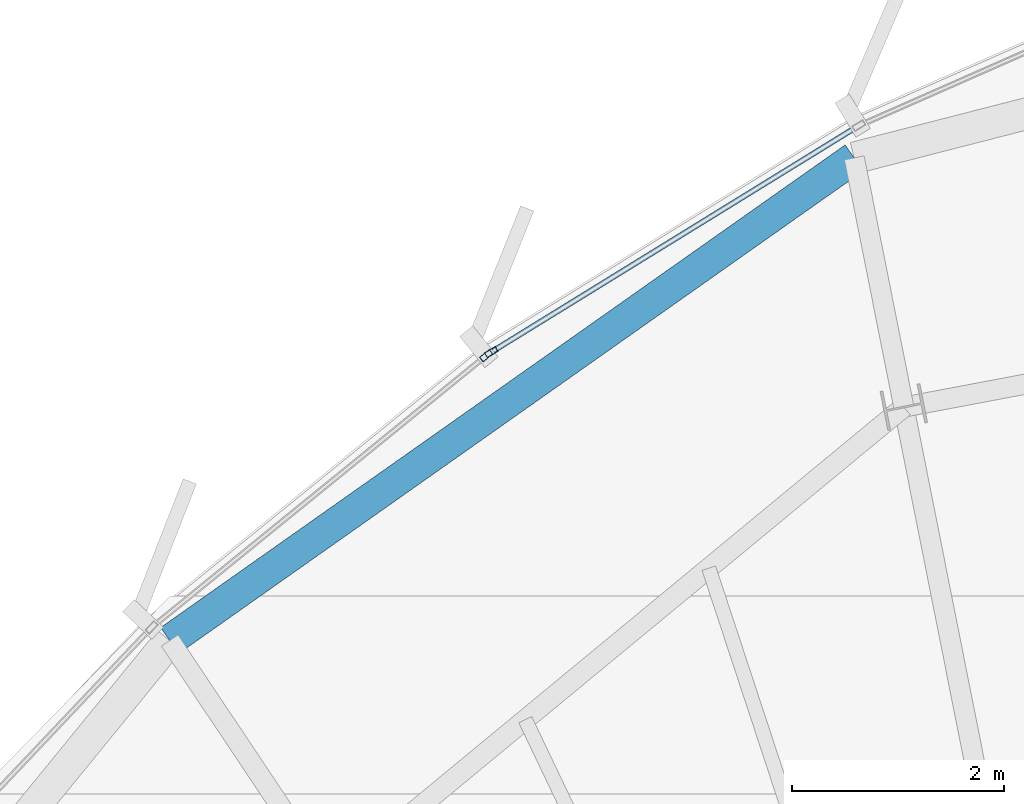
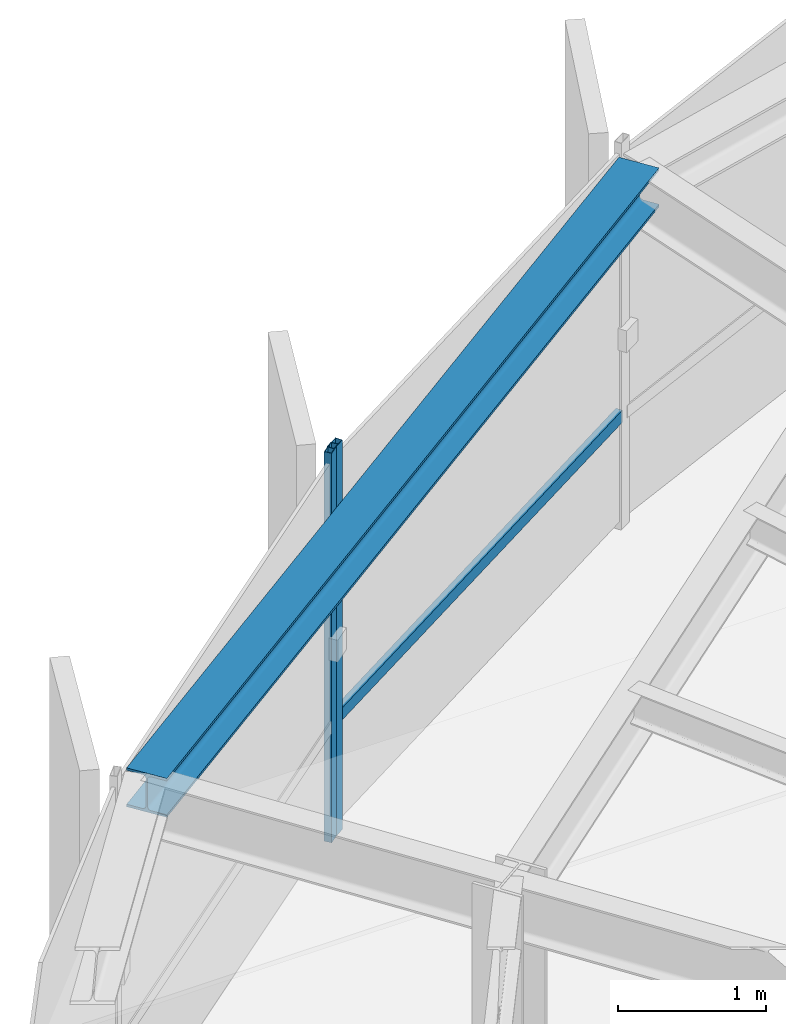
# One storey, part 18 of 31: 3 members, 1 beam, 2 elements without a shape of their own.
"""IFC4 building model written with IfcOpenShell, lengths in metres."""

from ifc_helpers import new_model, si_unit, direction, frame, origin, origin_2d, place, context, subcontext, project, spatial, hollow_rectangle, i_section, extrude, source, transform, mapped, material, layer, layer_set, material_profile, profile_set, type_object, element, aggregate, save


model = new_model("IFC4")

# Units and contexts
model_context = context("Model", 3, precision=1e-05, world=origin(), true_north=direction((0.0, 1.0)))
body_context = subcontext(model_context, "Body", "Model", "MODEL_VIEW")
ifc_project = project(units=[si_unit("LENGTHUNIT", "METRE"), si_unit("AREAUNIT", "SQUARE_METRE"), si_unit("VOLUMEUNIT", "CUBIC_METRE"), si_unit("PLANEANGLEUNIT", "RADIAN"), si_unit("MASSUNIT", "GRAM", prefix="KILO"), si_unit("THERMODYNAMICTEMPERATUREUNIT", "KELVIN")], contexts=[model_context])

# Site, building, storey
site_placement = place(None, origin())
site = spatial("IfcSite", under=ifc_project, at=site_placement, CompositionType="ELEMENT")
building_placement = place(site_placement, origin())
building = spatial("IfcBuilding", under=site, at=building_placement, Name="Kethvar Cultural Tower", CompositionType="ELEMENT")
storey_placement = place(building_placement, frame((0.0, 0.0, 269.800048828125)))
storey = spatial("IfcBuildingStorey", under=building, at=storey_placement, Name="L71", CompositionType="ELEMENT", Elevation=269.800048828125)

# Beam
ifc_material_1 = material(Name="Steel S355J2", Category="steel")
ifc_material_profile_1 = material_profile(ifc_material_1, i_section(OverallWidth=0.300048828125, OverallDepth=0.320068359375, WebThickness=0.011474609375, FlangeThickness=0.0205078125, FilletRadius=0.027099609375, at=origin_2d()), Name="Steel S355J2 — HEB320")
ifc_profile_set_1 = profile_set([ifc_material_profile_1], Name="Steel S355J2 — HEB320")
beam_type = type_object("IfcBeamType", Name="BM-SP320", PredefinedType="SPANDREL", material=ifc_profile_set_1)
shared_shape_1 = source(origin(), body_context, "Body", "SweptSolid", [
    extrude(i_section(OverallWidth=0.300048828125, OverallDepth=0.320068359375, WebThickness=0.011474609375, FlangeThickness=0.0205078125, FilletRadius=0.027099609375, at=origin_2d()), origin(), (0.0, 0.0, 1.0), 7.918701171875),
])
beam_placement = place(storey_placement, frame((42.764404296875, 48.088134765625, 3.0478515625), z_axis=(-0.817305229257, -0.576204965468, 0.0), x_axis=(0.576204965468, -0.817305229257, 0.0)))
element("IfcBeam", 1, at=beam_placement, inside=storey, type_object=beam_type, Name="L71 Perimeter Spandrel Beam SP-05", PredefinedType="SPANDREL", context=body_context, shape_type="MappedRepresentation", body=[
    mapped(shared_shape_1, transform((0.0, 0.0, 0.0), scale=1.0)),
])

# Curtain wall, member
ifc_material_2 = material(Name="Aluminium 6063-T6", Category="aluminium")
ifc_layer = layer(ifc_material_2, 0.179931640625, Name="Aluminium 6063-T6", Category="aluminium")
ifc_layer_set = layer_set([ifc_layer], Name="Aluminium 6063-T6 (180 mm)")
curtain_wall_type = type_object("IfcCurtainWallType", Name="CW-SYS-05-Z56", PredefinedType="NOTDEFINED", material=ifc_layer_set)
curtain_wall_1_placement = place(storey_placement, origin())
curtain_wall_1 = element("IfcCurtainWall", 2, at=curtain_wall_1_placement, inside=storey, type_object=curtain_wall_type, Name="L71 Curtain Wall Run 01", PredefinedType="NOTDEFINED")
ifc_material_profile_2 = material_profile(ifc_material_2, hollow_rectangle(XDim=0.054931640625, YDim=0.1201171875, WallThickness=0.00390625, at=origin_2d()), Name="Aluminium 6063-T6 — RHS120x55x4")
ifc_profile_set_2 = profile_set([ifc_material_profile_2], Name="Aluminium 6063-T6 — RHS120x55x4")
member_type_1 = type_object("IfcMemberType", Name="CW-SYS-05-Z56-MUL", PredefinedType="MULLION", material=ifc_profile_set_2)
shared_shape_2 = source(origin(), body_context, "Body", "SweptSolid", [
    extrude(hollow_rectangle(XDim=0.054931640625, YDim=0.1201171875, WallThickness=0.00390625, at=origin_2d()), origin(), (0.0, 0.0, 1.0), 3.2099609375),
])
member_1_placement = place(storey_placement, frame((39.331787109375, 46.251708984375, 0.0), z_axis=(0.0, 0.0, 1.0), x_axis=(0.524595254774, -0.851351759656, 0.0)))
member_1 = element("IfcMember", 3, at=member_1_placement, type_object=member_type_1, Name="CW-L71-R01 Mullion 7", PredefinedType="MULLION", context=body_context, shape_type="MappedRepresentation", body=[
    mapped(shared_shape_2, transform((0.0, 0.0, 0.0), scale=1.0)),
])

curtain_wall_2_placement = place(storey_placement, origin())
curtain_wall_2 = element("IfcCurtainWall", 4, at=curtain_wall_2_placement, inside=storey, type_object=curtain_wall_type, Name="L71 Curtain Wall Run 02", PredefinedType="NOTDEFINED")
member_2_placement = place(storey_placement, frame((39.2841796875, 46.218017578125, 0.0), z_axis=(0.0, 0.0, 1.0), x_axis=(0.630486164697, -0.776200487069, 0.0)))
member_2 = element("IfcMember", 5, at=member_2_placement, type_object=member_type_1, Name="CW-L71-R02 Mullion 1", PredefinedType="MULLION", context=body_context, shape_type="MappedRepresentation", body=[
    mapped(shared_shape_2, transform((0.0, 0.0, 0.0), scale=1.0)),
])
aggregate(curtain_wall_2, [member_2])

# Member
ifc_material_profile_3 = material_profile(ifc_material_2, hollow_rectangle(XDim=0.050048828125, YDim=0.10009765625, WallThickness=0.00390625, at=origin_2d()), Name="Aluminium 6063-T6 — RHS100x50x4")
ifc_profile_set_3 = profile_set([ifc_material_profile_3], Name="Aluminium 6063-T6 — RHS100x50x4")
member_type_2 = type_object("IfcMemberType", Name="CW-SYS-05-Z56-TRN", PredefinedType="USERDEFINED", material=ifc_profile_set_3)
shared_shape_3 = source(origin(), body_context, "Body", "SweptSolid", [
    extrude(hollow_rectangle(XDim=0.050048828125, YDim=0.10009765625, WallThickness=0.00390625, at=origin_2d()), origin(), (0.0, 0.0, 1.0), 4.03857421875),
])
member_3_placement = place(storey_placement, frame((42.773193359375, 48.372314453125, 0.949951171875), z_axis=(-0.851346825179, -0.524603262721, 0.0), x_axis=(0.524603262721, -0.851346825179, 0.0)))
member_3 = element("IfcMember", 6, at=member_3_placement, type_object=member_type_2, Name="CW-L71-R01 Transom 6", ObjectType="TRANSOM", PredefinedType="USERDEFINED", context=body_context, shape_type="MappedRepresentation", body=[
    mapped(shared_shape_3, transform((0.0, 0.0, 0.0), scale=1.0)),
])

aggregate(curtain_wall_1, [member_1, member_3])

save(model, "model.ifc")
